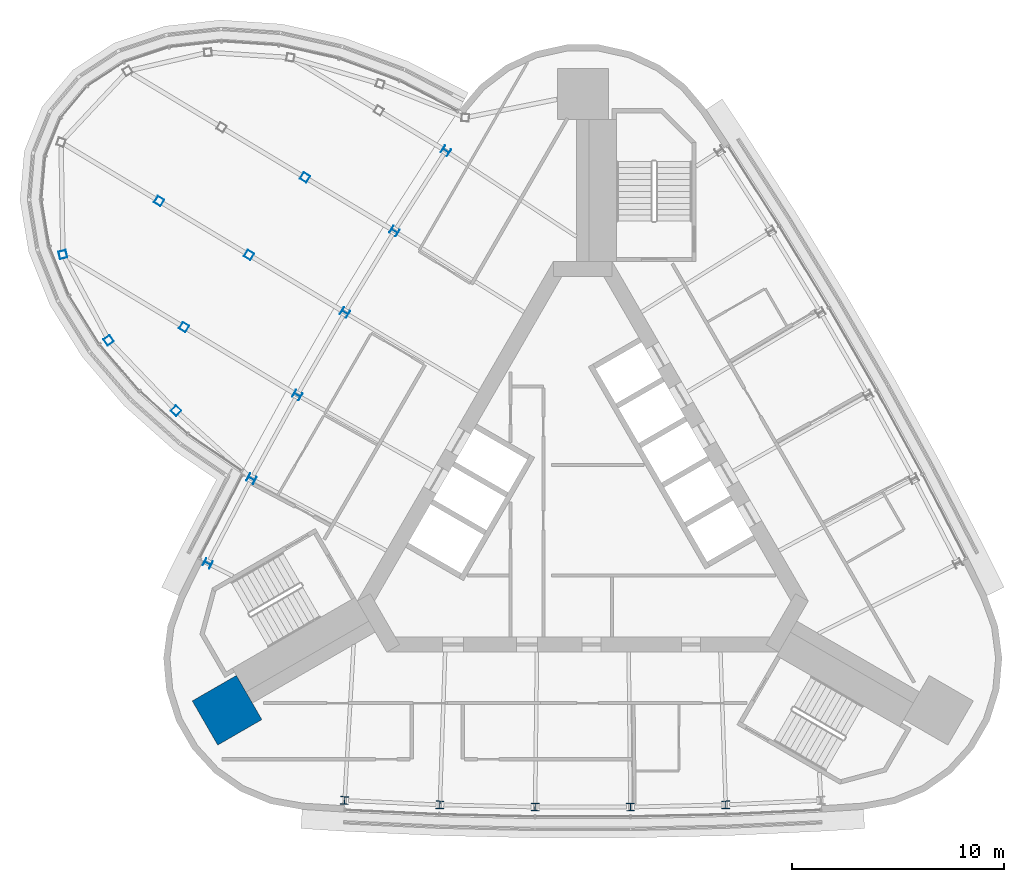
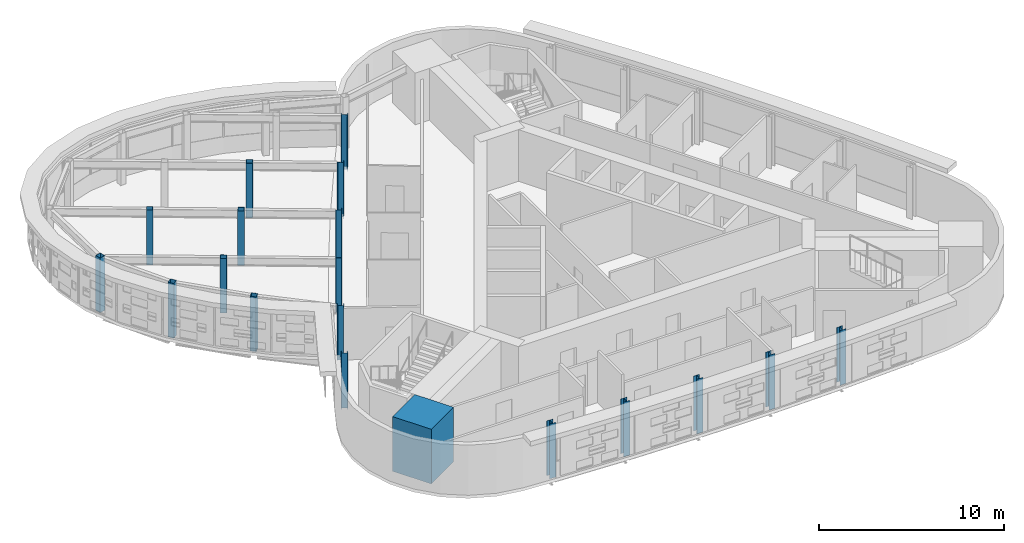
# One storey, part 1 of 13: 19 columns.
"""IFC4 building model written with IfcOpenShell, lengths in metres."""

import ifcopenshell
import ifcopenshell.guid

model = None  # the IFC model being written
_history = None  # IfcOwnerHistory: only IFC2X3 demands one
_inside = {}  # id of a spatial element -> (the spatial element, [elements in it])
_under = {}  # id of a project, library or spatial element -> (it, [spatial elements below it])
_declared = {}  # id of a project -> (the project, [libraries it declares])
_typed = {}  # id of a type object -> (the type object, [elements of that type])
_made_of = {}  # id of a material, layer set ... -> (it, [elements and type objects made of it])


def new_model(schema):
    """Start an empty IFC model of exactly this schema.

    Asked for "IFC4X3", IfcOpenShell would pick the latest addendum, in which some entities
    have other attributes; the version numbers below select the first issue.
    IFC2X3 requires an IfcOwnerHistory on every rooted entity: one is made here for all.
    """
    global model, _history
    if schema == "IFC4X3":
        model = ifcopenshell.file(schema_version=(4, 3, 0, 0))
    else:
        model = ifcopenshell.file(schema=schema)
    _inside.clear()
    _under.clear()
    _declared.clear()
    _typed.clear()
    _made_of.clear()
    _history = None
    if model.schema == "IFC2X3":
        org = make("IfcOrganization", Name="unknown")
        user = make(
            "IfcPersonAndOrganization",
            ThePerson=make("IfcPerson", FamilyName="unknown"),
            TheOrganization=org,
        )
        app = make(
            "IfcApplication",
            ApplicationDeveloper=org,
            Version="unknown",
            ApplicationFullName="unknown",
            ApplicationIdentifier="unknown",
        )
        _history = make(
            "IfcOwnerHistory",
            OwningUser=user,
            OwningApplication=app,
            ChangeAction="ADDED",
            CreationDate=0,
        )
    return model


def make(cls, **values):
    """One entity of the class cls with the attributes given. An attribute that is None is left unset."""
    return model.create_entity(
        cls, **{name: value for name, value in values.items() if value is not None}
    )


def rooted(cls, **values):
    """An entity with a GlobalId (a new one), such as an element, a storey or a relation."""
    return make(cls, GlobalId=ifcopenshell.guid.new(), OwnerHistory=_history, **values)


def si_unit(unit_type, name, prefix=None):
    """IfcSIUnit, for example si_unit("LENGTHUNIT", "METRE", prefix="MILLI")."""
    return make("IfcSIUnit", UnitType=unit_type, Prefix=prefix, Name=name)


def assignment(units):
    """IfcUnitAssignment: the units of a project."""
    return None if units is None else make("IfcUnitAssignment", Units=units)


def point(xyz):
    """IfcCartesianPoint."""
    return None if xyz is None else make("IfcCartesianPoint", Coordinates=xyz)


def direction(xyz):
    """IfcDirection."""
    return None if xyz is None else make("IfcDirection", DirectionRatios=xyz)


def frame(location, z_axis=None, x_axis=None):
    """IfcAxis2Placement3D, a coordinate frame: its origin and axes. An axis left out is left unset."""
    return make(
        "IfcAxis2Placement3D",
        Location=point(location),
        Axis=direction(z_axis),
        RefDirection=direction(x_axis),
    )


def frame_2d(location, x_axis=None):
    """IfcAxis2Placement2D, a coordinate frame in the plane: its origin and x axis."""
    return make(
        "IfcAxis2Placement2D", Location=point(location), RefDirection=direction(x_axis)
    )


def origin():
    """The frame at (0, 0, 0) with its axes left unset."""
    return frame((0.0, 0.0, 0.0))


def origin_2d():
    """The frame at (0, 0) in the plane with its x axis left unset."""
    return frame_2d((0.0, 0.0))


def place(relative_to, where):
    """IfcLocalPlacement: puts the frame where relative to a parent placement (None: the world)."""
    return make(
        "IfcLocalPlacement", PlacementRelTo=relative_to, RelativePlacement=where
    )


def context(
    kind, dimensions, precision=None, world=None, true_north=None, identifier=None
):
    """IfcGeometricRepresentationContext, for example the 3D "Model" context."""
    return make(
        "IfcGeometricRepresentationContext",
        ContextIdentifier=identifier,
        ContextType=kind,
        CoordinateSpaceDimension=dimensions,
        Precision=precision,
        WorldCoordinateSystem=world,
        TrueNorth=true_north,
    )


def subcontext(parent, identifier, kind, view, scale=None):
    """IfcGeometricRepresentationSubContext, for example "Body" below "Model"."""
    return make(
        "IfcGeometricRepresentationSubContext",
        ContextIdentifier=identifier,
        ContextType=kind,
        ParentContext=parent,
        TargetScale=scale,
        TargetView=view,
    )


def project(units=None, contexts=None):
    """IfcProject with its units and contexts."""
    return rooted(
        "IfcProject",
        Name="project",
        RepresentationContexts=contexts,
        UnitsInContext=assignment(units),
    )


def spatial(cls, under=None, at=None, **own):
    """A site, building, storey or space (cls), placed at a placement, below another one or the project."""
    s = rooted(cls, ObjectPlacement=at, **own)
    if under is not None:
        _under.setdefault(under.id(), (under, []))[1].append(s)
    return s


def profile(cls, at=None, kind="AREA", **sizes):
    """A parametric profile (cls). Its sizes go by their IFC names, for example OverallWidth=200.0."""
    return make(cls, ProfileType=kind, Position=at, **sizes)


def rectangle(**sizes):
    """IfcRectangleProfileDef."""
    return profile("IfcRectangleProfileDef", **sizes)


def hollow_rectangle(**sizes):
    """IfcRectangleHollowProfileDef."""
    return profile("IfcRectangleHollowProfileDef", **sizes)


def i_section(**sizes):
    """IfcIShapeProfileDef."""
    return profile("IfcIShapeProfileDef", **sizes)


def extrude(swept, where, along, depth):
    """IfcExtrudedAreaSolid: the profile swept, set in the frame where, extruded along a direction by depth."""
    return make(
        "IfcExtrudedAreaSolid",
        SweptArea=swept,
        Position=where,
        ExtrudedDirection=direction(along),
        Depth=depth,
    )


def shape(context_of_items, identifier, shape_type, items):
    """IfcShapeRepresentation: the items that make up one representation, for example the "Body"."""
    return make(
        "IfcShapeRepresentation",
        ContextOfItems=context_of_items,
        RepresentationIdentifier=identifier,
        RepresentationType=shape_type,
        Items=items,
    )


def material(Name=None, Category=None):
    """IfcMaterial."""
    return make("IfcMaterial", Name=Name, Category=Category)


def material_profile(
    of_material, cross_section, Name=None, Category=None, Priority=None
):
    """IfcMaterialProfile: a cross section and its material."""
    return make(
        "IfcMaterialProfile",
        Name=Name,
        Material=of_material,
        Profile=cross_section,
        Priority=Priority,
        Category=Category,
    )


def profile_set(profiles, Name=None, composite=None):
    """IfcMaterialProfileSet."""
    return make(
        "IfcMaterialProfileSet",
        Name=Name,
        MaterialProfiles=profiles,
        CompositeProfile=composite,
    )


def made_of(thing, what):
    """Note that an element or type object is made of a material, layer set ...; save() writes the relation."""
    if what is not None:
        _made_of.setdefault(what.id(), (what, []))[1].append(thing)
    return thing


def type_object(cls, material=None, **own):
    """A type object (cls), such as IfcWallType, which elements share."""
    return made_of(rooted(cls, **own), material)


def element(
    cls,
    number,
    at=None,
    inside=None,
    cuts=None,
    type_object=None,
    material=None,
    context=None,
    identifier="Body",
    shape_type=None,
    held_by="IfcProductDefinitionShape",
    body=None,
    shapes=None,
    **own,
):
    """One element of the class cls, such as IfcWall. Its Tag is "e" and its number.

    at: its placement. inside: the storey or other place that contains it. cuts: it is an
    opening in that element (IfcRelVoidsElement). A single representation is given by context,
    identifier, shape_type and body (its items); several are given by shapes. held_by: the class
    of the entity that holds the representations. save() writes the other relations.
    """
    e = rooted(cls, Tag="e%d" % number, ObjectPlacement=at, **own)
    if body is not None:
        shapes = [shape(context, identifier, shape_type, body)]
    if shapes is not None:
        e.Representation = make(held_by, Representations=shapes)
    if inside is not None:
        _inside.setdefault(inside.id(), (inside, []))[1].append(e)
    if cuts is not None:
        rooted(
            "IfcRelVoidsElement", RelatingBuildingElement=cuts, RelatedOpeningElement=e
        )
    if type_object is not None:
        _typed.setdefault(type_object.id(), (type_object, []))[1].append(e)
    return made_of(e, material)


def aggregate(whole, parts):
    """IfcRelAggregates: a whole, such as a stair, and the parts it consists of."""
    return rooted("IfcRelAggregates", RelatingObject=whole, RelatedObjects=parts)


def save(model, path):
    """Write the relations noted so far, then the file.

    IfcRelAggregates (storeys below a building ...), IfcRelContainedInSpatialStructure (elements
    in a storey), IfcRelDefinesByType, IfcRelAssociatesMaterial and IfcRelDeclares: one each for
    every whole, place, type object, material and project.
    """
    for whole, parts in _under.values():
        aggregate(whole, parts)
    for where, things in _inside.values():
        rooted(
            "IfcRelContainedInSpatialStructure",
            RelatedElements=things,
            RelatingStructure=where,
        )
    for kind, things in _typed.values():
        rooted("IfcRelDefinesByType", RelatedObjects=things, RelatingType=kind)
    for what, things in _made_of.values():
        rooted("IfcRelAssociatesMaterial", RelatedObjects=things, RelatingMaterial=what)
    for by, libraries in _declared.values():
        rooted("IfcRelDeclares", RelatingContext=by, RelatedDefinitions=libraries)
    model.write(path)


model = new_model("IFC4")

# Units and contexts
model_context = context("Model", 3, precision=1e-05, world=origin(), true_north=direction((0.0, 1.0)))
body_context = subcontext(model_context, "Body", "Model", "MODEL_VIEW")
ifc_project = project(units=[si_unit("LENGTHUNIT", "METRE"), si_unit("AREAUNIT", "SQUARE_METRE"), si_unit("VOLUMEUNIT", "CUBIC_METRE"), si_unit("PLANEANGLEUNIT", "RADIAN"), si_unit("MASSUNIT", "GRAM", prefix="KILO")], contexts=[model_context])

# Site, building, storey
site_placement = place(None, origin())
site = spatial("IfcSite", under=ifc_project, at=site_placement, CompositionType="ELEMENT")
building_placement = place(site_placement, origin())
building = spatial("IfcBuilding", under=site, at=building_placement, Name="Noor Cloister Tower", CompositionType="ELEMENT")
storey_placement = place(building_placement, frame((0.0, 0.0, 270.60009765625)))
storey = spatial("IfcBuildingStorey", under=building, at=storey_placement, Name="L69", CompositionType="ELEMENT", Elevation=270.60009765625)

# Columns
ifc_material_1 = material(Name="Steel ASTM A992 Gr 50", Category="steel")
ifc_material_profile_1 = material_profile(ifc_material_1, i_section(OverallWidth=0.37109375, OverallDepth=0.361083984375, WebThickness=0.01220703125, FlangeThickness=0.019775390625, FilletRadius=0.015380859375, at=origin_2d()), Name="W360x147")
ifc_profile_set_1 = profile_set([ifc_material_profile_1], Name="Steel ASTM A992 Gr 50")
column_type_1 = type_object("IfcColumnType", Name="Column W360x147", PredefinedType="COLUMN", material=ifc_profile_set_1)
for number, where, z_axis, x_axis, name in (
    (1, (-6.441650390625, 16.66552734375, -0.2001953125), (0.0, 0.0, 1.0), (-0.549344612048, -0.835595893488, 0.0), "Column NW 01 L69"),
    (2, (-8.863037109375, 12.8876953125, -0.2001953125), (0.0, 0.0, 1.0), (-0.529819164802, -0.84811063701, 0.0), "Column NW 02 L69"),
    (3, (-11.196044921875, 9.0546875, -0.2001953125), (0.0, 0.0, 1.0), (-0.51000874803, -0.860169214127, 0.0), "Column NW 03 L69"),
    (4, (-13.439697265625, 5.168701171875, -0.2001953125), (0.0, 0.0, 1.0), (-0.489924016972, -0.87176513901, 0.0), "Column NW 04 L69"),
    (5, (-15.592529296875, 1.231689453125, -0.2001953125), (0.0, 0.0, 1.0), (-0.469575774469, -0.882892174635, 0.0), "Column NW 05 L69"),
    (6, (-17.653564453125, -2.75390625, -0.2001953125), (0.0, 0.0, 1.0), (-0.448974965035, -0.893544336209, 0.0), "Column NW 06 L69"),
    (7, (-11.2119140625, -13.911376953125, -0.2001953125), (0.0, 0.0, 1.0), (0.998319577082, -0.057948442721, 0.0), "Column S 01 L69"),
    (8, (-6.7294921875, -14.119384765625, -0.2001953125), (0.0, 0.0, 1.0), (0.999394939271, -0.034781537625, 0.0), "Column S 02 L69"),
    (9, (-2.24365234375, -14.2236328125, -0.2001953125), (0.0, 0.0, 1.0), (0.999932765003, -0.011595924883, 0.0), "Column S 03 L69"),
    (10, (2.24365234375, -14.2236328125, -0.2001953125), (0.0, 0.0, 1.0), (0.999932765003, 0.011595924883, 0.0), "Column S 04 L69"),
    (11, (6.7294921875, -14.119384765625, -0.2001953125), (0.0, 0.0, 1.0), (0.999394939271, 0.034781537625, 0.0), "Column S 05 L69"),
):
    element("IfcColumn", number, at=place(storey_placement, frame(where, z_axis=z_axis, x_axis=x_axis)), inside=storey, type_object=column_type_1, Name=name, PredefinedType="COLUMN", context=body_context, shape_type="SweptSolid", body=[
        extrude(i_section(OverallWidth=0.37109375, OverallDepth=0.361083984375, WebThickness=0.01220703125, FlangeThickness=0.019775390625, FilletRadius=0.015380859375, at=origin_2d()), origin(), (0.0, 0.0, 1.0), 3.60009765625),
    ])
ifc_material_2 = material(Name="Concrete C60/75", Category="concrete")
ifc_material_profile_2 = material_profile(ifc_material_2, rectangle(XDim=2.39990234375, YDim=2.39990234375, at=origin_2d()), Name="RC 2400x2400")
ifc_profile_set_2 = profile_set([ifc_material_profile_2], Name="Concrete C60/75")
column_type_2 = type_object("IfcColumnType", Name="Corner pier 2400 x 2400 C60/75", PredefinedType="COLUMN", material=ifc_profile_set_2)
column_placement = place(storey_placement, frame((-16.74462890625, -9.66748046875, -0.2001953125), z_axis=(0.0, 0.0, 1.0), x_axis=(-0.866025403784, -0.5, 0.0)))
element("IfcColumn", 12, at=column_placement, inside=storey, type_object=column_type_2, Name="Corner pier SW L69", PredefinedType="COLUMN", context=body_context, shape_type="SweptSolid", body=[
    extrude(rectangle(XDim=2.39990234375, YDim=2.39990234375, at=origin_2d()), origin(), (0.0, 0.0, 1.0), 3.60009765625),
])
ifc_material_3 = material(Name="Steel ASTM A500 Gr C", Category="steel")
ifc_material_profile_3 = material_profile(ifc_material_3, hollow_rectangle(XDim=0.35595703125, YDim=0.35595703125, WallThickness=0.0126953125, at=origin_2d()), Name="HSS355.6x355.6x12.7")
ifc_profile_set_3 = profile_set([ifc_material_profile_3], Name="Steel ASTM A500 Gr C")
column_type_3 = type_object("IfcColumnType", Name="Pod post HSS355.6x355.6x12.7", PredefinedType="COLUMN", material=ifc_profile_set_3)
for number, where, z_axis, x_axis, name in (
    (13, (-13.078125, 15.416015625, -0.2001953125), (0.0, 0.0, 1.0), (-0.857566798966, 0.514372613299, 0.0), "Pod post 5 L69 line 2 node 1"),
    (14, (-15.7119140625, 11.763427734375, -0.2001953125), (0.0, 0.0, 1.0), (-0.857566798966, 0.514372613299, 0.0), "Pod post 5 L69 line 3 node 1"),
    (15, (-19.94140625, 14.30029296875, -0.2001953125), (0.0, 0.0, 1.0), (-0.857566798966, 0.514372613299, 0.0), "Pod post 5 L69 line 3 node 2"),
    (16, (-18.767578125, 8.364501953125, -0.2001953125), (0.0, 0.0, 1.0), (-0.857566798966, 0.514372613299, 0.0), "Pod post 5 L69 line 4 node 1"),
    (17, (-24.47216796875, 11.7861328125, -0.2001953125), (0.0, 0.0, 1.0), (0.233734517984, -0.972300455159, 0.0), "Pod post 5 L69 ring 8"),
    (18, (-22.318603515625, 7.746826171875, -0.2001953125), (0.0, 0.0, 1.0), (0.586560041974, -0.809905745849, 0.0), "Pod post 5 L69 ring 9"),
    (19, (-19.146728515625, 4.432861328125, -0.2001953125), (0.0, 0.0, 1.0), (0.71780948833, -0.696239569734, 0.0), "Pod post 5 L69 ring 10"),
):
    element("IfcColumn", number, at=place(storey_placement, frame(where, z_axis=z_axis, x_axis=x_axis)), inside=storey, type_object=column_type_3, Name=name, PredefinedType="COLUMN", context=body_context, shape_type="SweptSolid", body=[
        extrude(hollow_rectangle(XDim=0.35595703125, YDim=0.35595703125, WallThickness=0.0126953125, at=origin_2d()), origin(), (0.0, 0.0, 1.0), 3.60009765625),
    ])

save(model, "model.ifc")
